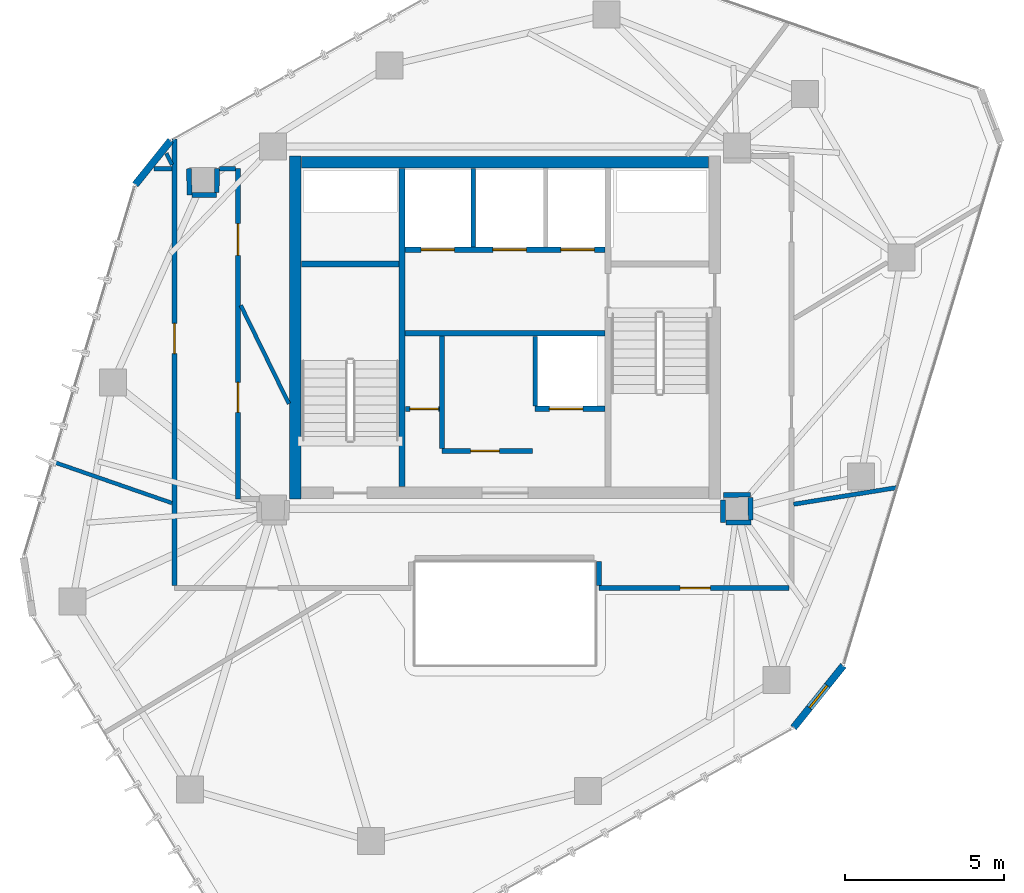
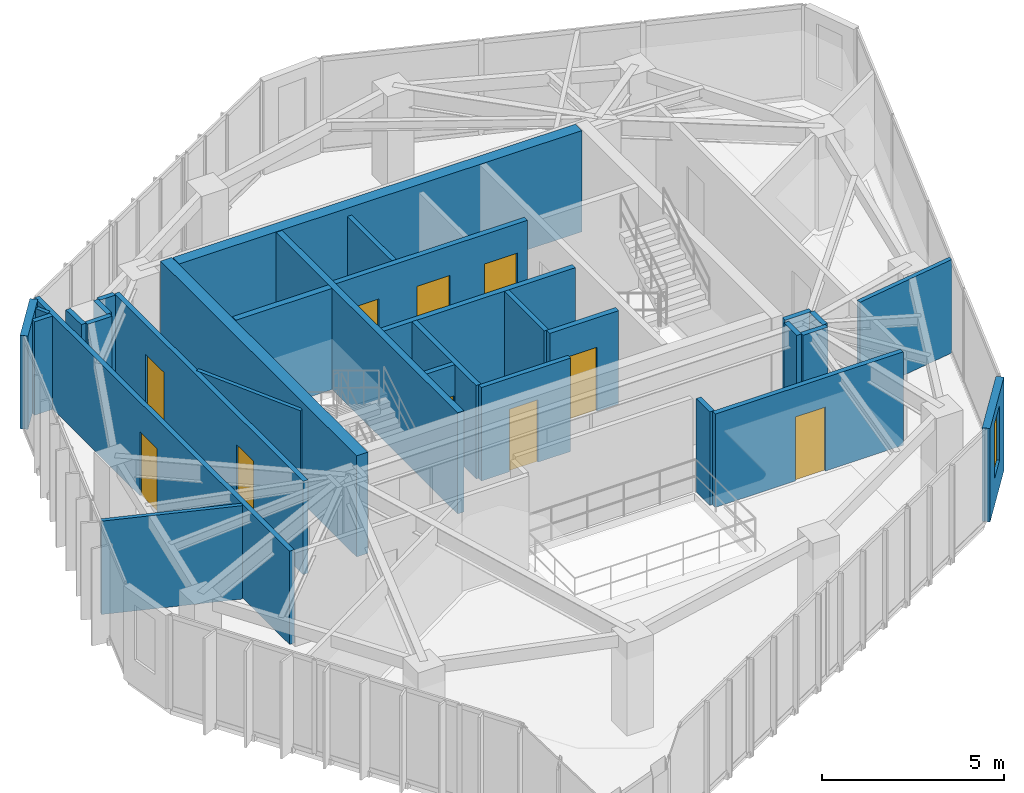
# One storey, part 17 of 20: 31 walls, 10 doors, 1 window, 11 openings.
"""IFC4 building model written with IfcOpenShell, lengths in metres."""

from ifc_helpers import new_model, si_unit, direction, frame, frame_2d, origin, place, context, subcontext, project, spatial, rectangle, extrude, source, transform, mapped, material, layer, layer_set, type_object, type_shapes, element, fill, save


model = new_model("IFC4")

# Units and contexts
model_context = context("Model", 3, precision=1e-05, world=origin(), true_north=direction((0.0, 1.0)))
body_context = subcontext(model_context, "Body", "Model", "MODEL_VIEW")
ifc_project = project(units=[si_unit("LENGTHUNIT", "METRE"), si_unit("AREAUNIT", "SQUARE_METRE"), si_unit("VOLUMEUNIT", "CUBIC_METRE"), si_unit("PLANEANGLEUNIT", "RADIAN"), si_unit("MASSUNIT", "GRAM", prefix="KILO")], contexts=[model_context])

# Site, building, storey
site_placement = place(None, origin())
site = spatial("IfcSite", under=ifc_project, at=site_placement, CompositionType="ELEMENT")
building_placement = place(site_placement, origin())
building = spatial("IfcBuilding", under=site, at=building_placement, Name="Talar Marvaseh", CompositionType="ELEMENT")
storey_placement = place(building_placement, frame((0.0, 0.0, 257.800048828125)))
storey = spatial("IfcBuildingStorey", under=building, at=storey_placement, Name="L68", CompositionType="ELEMENT", Elevation=257.800048828125)

# Wall
ifc_material_1 = material(Name="Precast concrete C45/55", Category="concrete")
ifc_layer_1 = layer(ifc_material_1, 0.22509765625)
ifc_layer_set_1 = layer_set([ifc_layer_1], Name="Precast concrete C45/55")
wall_type_1 = type_object("IfcWallType", Name="Chamfered Hexagonal Corner Pier Wall Z4 225", PredefinedType="SOLIDWALL", material=ifc_layer_set_1)
wall_1_placement = place(storey_placement, frame((14.363037109375, 35.697998046875, 0.0), z_axis=(0.0, 0.0, 1.0), x_axis=(0.625914912889, 0.779891352576, 0.0)))
element("IfcWall", 1, at=wall_1_placement, inside=storey, type_object=wall_type_1, Name="L68 Chamfered Corner Limestone Pier 3", PredefinedType="SOLIDWALL", context=body_context, shape_type="SweptSolid", body=[
    extrude(rectangle(XDim=1.780517578125, YDim=0.22509765625, at=frame_2d((0.89013671875, 0.0))), origin(), (0.0, 0.0, 1.0), 3.139892578125),
])

# Wall, opening, window
wall_2_placement = place(storey_placement, frame((36.646484375, 20.559814453125, 0.0), z_axis=(0.0, 0.0, 1.0), x_axis=(-0.625931583218, -0.77987797323, 0.0)))
wall_2 = element("IfcWall", 2, at=wall_2_placement, inside=storey, type_object=wall_type_1, Name="L68 Chamfered Corner Limestone Pier 6", PredefinedType="SOLIDWALL", context=body_context, shape_type="SweptSolid", body=[
    extrude(rectangle(XDim=2.50244140625, YDim=0.22509765625, at=frame_2d((1.251220703125, 0.0))), origin(), (0.0, 0.0, 1.0), 3.139892578125),
])
opening_1_placement = place(wall_2_placement, frame((0.801025390625, 0.0, 0.89990234375)))
opening_1 = element("IfcOpeningElement", 3, at=opening_1_placement, cuts=wall_2, Name="Opening WN-CHM09", PredefinedType="OPENING", context=body_context, shape_type="SweptSolid", body=[
    extrude(rectangle(XDim=0.89990234375, YDim=1.85009765625, at=frame_2d((0.449951171875, 0.925048828125))), frame((0.0, 0.12255859375, 0.0), z_axis=(0.0, -1.0, 0.0), x_axis=(1.0, 0.0, 0.0)), (0.0, 0.0, 1.0), 0.2451171875),
])
ifc_material_2 = material(Name="Laminated Low-E Solar Glass", Category="glass")
window_type = type_object("IfcWindowType", Name="Zone 4 Chamfered Corner Slot Window 900x1850", PartitioningType="SINGLE_PANEL", PredefinedType="WINDOW", material=ifc_material_2)
shared_shape_1 = source(origin(), body_context, "Body", "SweptSolid", [
    extrude(rectangle(XDim=0.89990234375, YDim=1.85009765625, at=frame_2d((0.449951171875, 0.925048828125))), frame((0.0, 0.030029296875, 0.0), z_axis=(0.0, -1.0, 0.0), x_axis=(1.0, 0.0, 0.0)), (0.0, 0.0, 1.0), 0.06005859375),
])
type_shapes(window_type, [shared_shape_1])
window_placement = place(opening_1_placement, origin())
window = element("IfcWindow", 4, at=window_placement, inside=storey, type_object=window_type, Name="L68 Chamfered Corner Slot Window", OverallHeight=1.85009765625, OverallWidth=0.89990234375, PartitioningType="SINGLE_PANEL", PredefinedType="WINDOW", context=body_context, shape_type="MappedRepresentation", body=[
    mapped(shared_shape_1, transform((0.0, 0.0, 0.0), x_axis=(1.0, 0.0, 0.0), y_axis=(0.0, 1.0, 0.0), z_axis=(0.0, 0.0, 1.0), scale=1.0)),
])
fill(opening_1, window)

# Wall
ifc_material_3 = material(Name="Gypsum Board Partition Assembly")
ifc_layer_2 = layer(ifc_material_3, 0.155029296875)
ifc_layer_set_2 = layer_set([ifc_layer_2], Name="Gypsum Board Partition Assembly")
wall_type_2 = type_object("IfcWallType", Name="Corridor Fire-Rated Acoustic Partition 155", PredefinedType="PARTITIONING", material=ifc_layer_set_2)
wall_3_placement = place(storey_placement, frame((24.02001953125, 27.39990234375, 0.0), z_axis=(0.0, 0.0, 1.0), x_axis=(0.0, 1.0, 0.0)))
element("IfcWall", 5, at=wall_3_placement, inside=storey, type_object=wall_type_2, Name="L68 Core BOH Partition", PredefinedType="PARTITIONING", context=body_context, shape_type="SweptSolid", body=[
    extrude(rectangle(XDim=3.5400390625, YDim=0.155029296875, at=frame_2d((1.77001953125, 0.0))), origin(), (0.0, 0.0, 1.0), 3.139892578125),
])

# Wall, opening, door
wall_4_placement = place(storey_placement, frame((24.02001953125, 27.320068359375, 0.0), z_axis=(0.0, 0.0, 1.0), x_axis=(1.0, 0.0, 0.0)))
wall_4 = element("IfcWall", 6, at=wall_4_placement, inside=storey, type_object=wall_type_2, Name="L68 Core BOH Partition", PredefinedType="PARTITIONING", context=body_context, shape_type="SweptSolid", body=[
    extrude(rectangle(XDim=2.840087890625, YDim=0.155029296875, at=frame_2d((1.419921875, 0.0))), origin(), (0.0, 0.0, 1.0), 3.139892578125),
])
opening_2_placement = place(wall_4_placement, frame((0.89990234375, 0.0, 0.0)))
opening_2 = element("IfcOpeningElement", 7, at=opening_2_placement, cuts=wall_4, Name="Opening DR-BOH090", PredefinedType="OPENING", context=body_context, shape_type="SweptSolid", body=[
    extrude(rectangle(XDim=0.89990234375, YDim=2.10009765625, at=frame_2d((0.449951171875, 1.050048828125))), frame((0.0, 0.08740234375, 0.0), z_axis=(0.0, -1.0, 0.0), x_axis=(1.0, 0.0, 0.0)), (0.0, 0.0, 1.0), 0.175048828125),
])
ifc_material_4 = material(Name="Fire-Rated Steel Door Leaf", Category="steel")
door_type_1 = type_object("IfcDoorType", Name="Core Back-of-House Service Door 900x2100", OperationType="NOTDEFINED", PredefinedType="DOOR", material=ifc_material_4)
shared_shape_2 = source(origin(), body_context, "Body", "SweptSolid", [
    extrude(rectangle(XDim=0.89990234375, YDim=2.10009765625, at=frame_2d((0.449951171875, 1.050048828125))), frame((0.0, 0.02490234375, 0.0), z_axis=(0.0, -1.0, 0.0), x_axis=(1.0, 0.0, 0.0)), (0.0, 0.0, 1.0), 0.050048828125),
])
type_shapes(door_type_1, [shared_shape_2])
door_1_placement = place(opening_2_placement, origin())
door_1 = element("IfcDoor", 8, at=door_1_placement, inside=storey, type_object=door_type_1, Name="L68 Store Sky Curatorial Vault Door", OperationType="SINGLE_SWING_LEFT", OverallHeight=2.10009765625, OverallWidth=0.89990234375, PredefinedType="DOOR", context=body_context, shape_type="MappedRepresentation", body=[
    mapped(shared_shape_2, transform((0.0, 0.0, 0.0), x_axis=(1.0, 0.0, 0.0), y_axis=(0.0, 1.0, 0.0), z_axis=(0.0, 0.0, 1.0), scale=1.0)),
])
fill(opening_2, door_1)

wall_5_placement = place(storey_placement, frame((22.865966796875, 28.639892578125, 0.0), z_axis=(0.0, 0.0, 1.0), x_axis=(1.0, 0.0, 0.0)))
wall_5 = element("IfcWall", 9, at=wall_5_placement, inside=storey, type_object=wall_type_2, Name="L68 Core BOH Partition", PredefinedType="PARTITIONING", context=body_context, shape_type="SweptSolid", body=[
    extrude(rectangle(XDim=1.070556640625, YDim=0.155029296875, at=frame_2d((0.53515625, 0.0))), origin(), (0.0, 0.0, 1.0), 3.139892578125),
])
opening_3_placement = place(wall_5_placement, frame((0.139892578125, 0.0, 0.0)))
opening_3 = element("IfcOpeningElement", 10, at=opening_3_placement, cuts=wall_5, Name="Opening DR-BOH090", PredefinedType="OPENING", context=body_context, shape_type="SweptSolid", body=[
    extrude(rectangle(XDim=0.89990234375, YDim=2.10009765625, at=frame_2d((0.449951171875, 1.050048828125))), frame((0.0, 0.08740234375, 0.0), z_axis=(0.0, -1.0, 0.0), x_axis=(1.0, 0.0, 0.0)), (0.0, 0.0, 1.0), 0.175048828125),
])
door_2_placement = place(opening_3_placement, origin())
door_2 = element("IfcDoor", 11, at=door_2_placement, inside=storey, type_object=door_type_1, Name="L68 Cleaner Core West Closet Door", OperationType="SINGLE_SWING_RIGHT", OverallHeight=2.10009765625, OverallWidth=0.89990234375, PredefinedType="DOOR", context=body_context, shape_type="MappedRepresentation", body=[
    mapped(shared_shape_2, transform((0.0, 0.0, 0.0), x_axis=(1.0, 0.0, 0.0), y_axis=(0.0, 1.0, 0.0), z_axis=(0.0, 0.0, 1.0), scale=1.0)),
])
fill(opening_3, door_2)

# Wall, openings, doors
wall_6_placement = place(storey_placement, frame((17.60009765625, 36.199951171875, 0.0), z_axis=(0.0, 0.0, 1.0), x_axis=(0.0, -1.0, 0.0)))
wall_6 = element("IfcWall", 12, at=wall_6_placement, inside=storey, type_object=wall_type_2, Name="L68 Interior Partition Wall", PredefinedType="PARTITIONING", context=body_context, shape_type="SweptSolid", body=[
    extrude(rectangle(XDim=10.39990234375, YDim=0.155029296875, at=frame_2d((5.199951171875, 0.0))), origin(), (0.0, 0.0, 1.0), 3.139892578125),
])
opening_4_placement = place(wall_6_placement, frame((1.72509765625, 0.0, 0.0)))
opening_4 = element("IfcOpeningElement", 13, at=opening_4_placement, cuts=wall_6, Name="Opening DR-RM100", PredefinedType="OPENING", context=body_context, shape_type="SweptSolid", body=[
    extrude(rectangle(XDim=1.0, YDim=2.14990234375, at=frame_2d((0.5, 1.074951171875))), frame((0.0, 0.08740234375, 0.0), z_axis=(0.0, -1.0, 0.0), x_axis=(1.0, 0.0, 0.0)), (0.0, 0.0, 1.0), 0.175048828125),
])
opening_5_placement = place(wall_6_placement, frame((6.720947265625, 0.0, 0.0)))
opening_5 = element("IfcOpeningElement", 14, at=opening_5_placement, cuts=wall_6, Name="Opening DR-WC095", PredefinedType="OPENING", context=body_context, shape_type="SweptSolid", body=[
    extrude(rectangle(XDim=0.949951171875, YDim=2.14990234375, at=frame_2d((0.47509765625, 1.074951171875))), frame((0.0, 0.08740234375, 0.0), z_axis=(0.0, -1.0, 0.0), x_axis=(1.0, 0.0, 0.0)), (0.0, 0.0, 1.0), 0.175048828125),
])
ifc_material_5 = material(Name="Acoustic Engineered Oak Timber", Category="wood")
door_type_2 = type_object("IfcDoorType", Name="Washroom and Service Room Door 950x2150", OperationType="NOTDEFINED", PredefinedType="DOOR", material=ifc_material_5)
shared_shape_3 = source(origin(), body_context, "Body", "SweptSolid", [
    extrude(rectangle(XDim=0.949951171875, YDim=2.14990234375, at=frame_2d((0.47509765625, 1.074951171875))), frame((0.0, 0.02490234375, 0.0), z_axis=(0.0, -1.0, 0.0), x_axis=(1.0, 0.0, 0.0)), (0.0, 0.0, 1.0), 0.050048828125),
])
type_shapes(door_type_2, [shared_shape_3])
door_3_placement = place(opening_5_placement, origin())
door_3 = element("IfcDoor", 15, at=door_3_placement, inside=storey, type_object=door_type_2, Name="L68 WC Public Washrooms Door", OperationType="SINGLE_SWING_LEFT", OverallHeight=2.14990234375, OverallWidth=0.949951171875, PredefinedType="DOOR", context=body_context, shape_type="MappedRepresentation", body=[
    mapped(shared_shape_3, transform((0.0, 0.0, 0.0), x_axis=(1.0, 0.0, 0.0), y_axis=(0.0, 1.0, 0.0), z_axis=(0.0, 0.0, 1.0), scale=1.0)),
])
fill(opening_5, door_3)
door_type_3 = type_object("IfcDoorType", Name="Corridor Fire-Rated Gallery Door 1000x2150", OperationType="NOTDEFINED", PredefinedType="DOOR", material=ifc_material_5)
shared_shape_4 = source(origin(), body_context, "Body", "SweptSolid", [
    extrude(rectangle(XDim=1.0, YDim=2.14990234375, at=frame_2d((0.5, 1.074951171875))), frame((0.0, 0.02490234375, 0.0), z_axis=(0.0, -1.0, 0.0), x_axis=(1.0, 0.0, 0.0)), (0.0, 0.0, 1.0), 0.050048828125),
])
type_shapes(door_type_3, [shared_shape_4])
door_4_placement = place(opening_4_placement, origin())
door_4 = element("IfcDoor", 16, at=door_4_placement, inside=storey, type_object=door_type_3, Name="L68 Archival Facsimile Boutique Door", OperationType="SINGLE_SWING_LEFT", OverallHeight=2.14990234375, OverallWidth=1.0, PredefinedType="DOOR", context=body_context, shape_type="MappedRepresentation", body=[
    mapped(shared_shape_4, transform((0.0, 0.0, 0.0), x_axis=(1.0, 0.0, 0.0), y_axis=(0.0, 1.0, 0.0), z_axis=(0.0, 0.0, 1.0), scale=1.0)),
])
fill(opening_4, door_4)

# Wall, opening, door
wall_7_placement = place(storey_placement, frame((34.9365234375, 23.0, 0.0), z_axis=(0.0, 0.0, 1.0), x_axis=(-1.0, 0.0, 0.0)))
wall_7 = element("IfcWall", 17, at=wall_7_placement, inside=storey, type_object=wall_type_2, Name="L68 Interior Partition Wall", PredefinedType="PARTITIONING", context=body_context, shape_type="SweptSolid", body=[
    extrude(rectangle(XDim=5.9765625, YDim=0.155029296875, at=frame_2d((2.98828125, 0.0))), origin(), (0.0, 0.0, 1.0), 3.139892578125),
])
opening_6_placement = place(wall_7_placement, frame((2.471435546875, 0.0, 0.0)))
opening_6 = element("IfcOpeningElement", 18, at=opening_6_placement, cuts=wall_7, Name="Opening DR-WC095", PredefinedType="OPENING", context=body_context, shape_type="SweptSolid", body=[
    extrude(rectangle(XDim=0.949951171875, YDim=2.14990234375, at=frame_2d((0.47509765625, 1.074951171875))), frame((0.0, 0.08740234375, 0.0), z_axis=(0.0, -1.0, 0.0), x_axis=(1.0, 0.0, 0.0)), (0.0, 0.0, 1.0), 0.175048828125),
])
door_5_placement = place(opening_6_placement, origin())
door_5 = element("IfcDoor", 19, at=door_5_placement, inside=storey, type_object=door_type_2, Name="L68 Rare Books Archive Room Door", OperationType="SINGLE_SWING_RIGHT", OverallHeight=2.14990234375, OverallWidth=0.949951171875, PredefinedType="DOOR", context=body_context, shape_type="MappedRepresentation", body=[
    mapped(shared_shape_3, transform((0.0, 0.0, 0.0), x_axis=(1.0, 0.0, 0.0), y_axis=(0.0, 1.0, 0.0), z_axis=(0.0, 0.0, 1.0), scale=1.0)),
])
fill(opening_6, door_5)

wall_8_placement = place(storey_placement, frame((15.60009765625, 23.08349609375, 0.0), z_axis=(0.0, 0.0, 1.0), x_axis=(0.0, 1.0, 0.0)))
wall_8 = element("IfcWall", 20, at=wall_8_placement, inside=storey, type_object=wall_type_2, Name="L68 Interior Partition Wall", PredefinedType="PARTITIONING", context=body_context, shape_type="SweptSolid", body=[
    extrude(rectangle(XDim=14.051513671875, YDim=0.155029296875, at=frame_2d((7.02587890625, 0.0))), origin(), (0.0, 0.0, 1.0), 3.139892578125),
])
opening_7_placement = place(wall_8_placement, frame((7.2978515625, 0.0, 0.0)))
opening_7 = element("IfcOpeningElement", 21, at=opening_7_placement, cuts=wall_8, Name="Opening DR-WC095", PredefinedType="OPENING", context=body_context, shape_type="SweptSolid", body=[
    extrude(rectangle(XDim=0.949951171875, YDim=2.14990234375, at=frame_2d((0.47509765625, 1.074951171875))), frame((0.0, 0.08740234375, 0.0), z_axis=(0.0, -1.0, 0.0), x_axis=(1.0, 0.0, 0.0)), (0.0, 0.0, 1.0), 0.175048828125),
])
door_6_placement = place(opening_7_placement, origin())
door_6 = element("IfcDoor", 22, at=door_6_placement, inside=storey, type_object=door_type_2, Name="L68 Accessible WC Door", OperationType="SINGLE_SWING_RIGHT", OverallHeight=2.14990234375, OverallWidth=0.949951171875, PredefinedType="DOOR", context=body_context, shape_type="MappedRepresentation", body=[
    mapped(shared_shape_3, transform((0.0, 0.0, 0.0), x_axis=(1.0, 0.0, 0.0), y_axis=(0.0, 1.0, 0.0), z_axis=(0.0, 0.0, 1.0), scale=1.0)),
])
fill(opening_7, door_6)

# Walls
wall_9_placement = place(storey_placement, frame((16.053955078125, 36.199951171875, 0.0), z_axis=(0.0, 0.0, 1.0), x_axis=(0.018168161375, -0.999834945335, 0.0)))
element("IfcWall", 23, at=wall_9_placement, inside=storey, type_object=wall_type_2, Name="L68 Interior Partition Wall", PredefinedType="PARTITIONING", context=body_context, shape_type="SweptSolid", body=[
    extrude(rectangle(XDim=0.833251953125, YDim=0.155029296875, at=frame_2d((0.41650390625, 0.0))), origin(), (0.0, 0.0, 1.0), 3.139892578125),
])
wall_10_placement = place(storey_placement, frame((16.152587890625, 35.3671875, 0.0), z_axis=(0.0, 0.0, 1.0), x_axis=(0.999997558852, 0.002209590566, 0.0)))
element("IfcWall", 24, at=wall_10_placement, inside=storey, type_object=wall_type_2, Name="L68 Interior Partition Wall", PredefinedType="PARTITIONING", context=body_context, shape_type="SweptSolid", body=[
    extrude(rectangle(XDim=0.7734375, YDim=0.155029296875, at=frame_2d((0.38671875, 0.0))), origin(), (0.0, 0.0, 1.0), 3.139892578125),
])
wall_11_placement = place(storey_placement, frame((16.927001953125, 35.452392578125, 0.0), z_axis=(0.0, 0.0, 1.0), x_axis=(0.009470509294, 0.999955153721, 0.0)))
element("IfcWall", 25, at=wall_11_placement, inside=storey, type_object=wall_type_2, Name="L68 Interior Partition Wall", PredefinedType="PARTITIONING", context=body_context, shape_type="SweptSolid", body=[
    extrude(rectangle(XDim=0.74755859375, YDim=0.155029296875, at=frame_2d((0.373779296875, 0.0))), origin(), (0.0, 0.0, 1.0), 3.139892578125),
])
wall_12_placement = place(storey_placement, frame((17.017578125, 36.199951171875, 0.0), z_axis=(0.0, 0.0, 1.0), x_axis=(1.0, 0.0, 0.0)))
element("IfcWall", 26, at=wall_12_placement, inside=storey, type_object=wall_type_2, Name="L68 Interior Partition Wall", PredefinedType="PARTITIONING", context=body_context, shape_type="SweptSolid", body=[
    extrude(rectangle(XDim=0.4990234375, YDim=0.155029296875, at=frame_2d((0.24951171875, 0.0))), origin(), (0.0, 0.0, 1.0), 3.139892578125),
])
wall_13_placement = place(storey_placement, frame((28.959716796875, 23.08349609375, 0.0), z_axis=(0.0, 0.0, 1.0), x_axis=(-0.003917697652, 0.999992325793, 0.0)))
element("IfcWall", 27, at=wall_13_placement, inside=storey, type_object=wall_type_2, Name="L68 Interior Partition Wall", PredefinedType="PARTITIONING", context=body_context, shape_type="SweptSolid", body=[
    extrude(rectangle(XDim=0.747802734375, YDim=0.155029296875, at=frame_2d((0.3740234375, 0.0))), origin(), (0.0, 0.0, 1.0), 3.139892578125),
])
wall_14_placement = place(storey_placement, frame((14.9453125, 36.199951171875, 0.0), z_axis=(0.0, 0.0, 1.0), x_axis=(1.0, 0.0, 0.0)))
element("IfcWall", 28, at=wall_14_placement, inside=storey, type_object=wall_type_2, Name="L68 Interior Partition Wall", PredefinedType="PARTITIONING", context=body_context, shape_type="SweptSolid", body=[
    extrude(rectangle(XDim=0.5712890625, YDim=0.155029296875, at=frame_2d((0.28564453125, 0.0))), origin(), (0.0, 0.0, 1.0), 3.139892578125),
])
wall_15_placement = place(storey_placement, frame((33.72509765625, 25.93994140625, 0.0), z_axis=(0.0, 0.0, 1.0), x_axis=(-0.999986790873, -0.005139852152, 0.0)))
element("IfcWall", 29, at=wall_15_placement, inside=storey, type_object=wall_type_2, Name="L68 Interior Partition Wall", PredefinedType="PARTITIONING", context=body_context, shape_type="SweptSolid", body=[
    extrude(rectangle(XDim=0.85498046875, YDim=0.155029296875, at=frame_2d((0.427490234375, 0.0))), origin(), (0.0, 0.0, 1.0), 3.139892578125),
])
wall_16_placement = place(storey_placement, frame((32.864501953125, 25.772705078125, 0.0), z_axis=(0.0, 0.0, 1.0), x_axis=(0.0, -1.0, 0.0)))
element("IfcWall", 30, at=wall_16_placement, inside=storey, type_object=wall_type_2, Name="L68 Interior Partition Wall", PredefinedType="PARTITIONING", context=body_context, shape_type="SweptSolid", body=[
    extrude(rectangle(XDim=0.708251953125, YDim=0.155029296875, at=frame_2d((0.35400390625, 0.0))), origin(), (0.0, 0.0, 1.0), 3.139892578125),
])
wall_17_placement = place(storey_placement, frame((32.947998046875, 25.064453125, 0.0), z_axis=(0.0, 0.0, 1.0), x_axis=(1.0, 0.0, 0.0)))
element("IfcWall", 31, at=wall_17_placement, inside=storey, type_object=wall_type_2, Name="L68 Interior Partition Wall", PredefinedType="PARTITIONING", context=body_context, shape_type="SweptSolid", body=[
    extrude(rectangle(XDim=0.78759765625, YDim=0.155029296875, at=frame_2d((0.393798828125, 0.0))), origin(), (0.0, 0.0, 1.0), 3.139892578125),
])
wall_18_placement = place(storey_placement, frame((33.734619140625, 25.14794921875, 0.0), z_axis=(0.0, 0.0, 1.0), x_axis=(-0.012059770759, 0.99992727832, 0.0)))
element("IfcWall", 32, at=wall_18_placement, inside=storey, type_object=wall_type_2, Name="L68 Interior Partition Wall", PredefinedType="PARTITIONING", context=body_context, shape_type="SweptSolid", body=[
    extrude(rectangle(XDim=0.70849609375, YDim=0.155029296875, at=frame_2d((0.354248046875, 0.0))), origin(), (0.0, 0.0, 1.0), 3.139892578125),
])
ifc_layer_3 = layer(ifc_material_3, 0.1201171875)
ifc_layer_set_3 = layer_set([ifc_layer_3], Name="Gypsum Board Partition Assembly")
wall_type_3 = type_object("IfcWallType", Name="Demountable Studio Room Partition 120", PredefinedType="PARTITIONING", material=ifc_layer_set_3)
wall_19_placement = place(storey_placement, frame((11.771484375, 26.978515625, 0.0), z_axis=(0.0, 0.0, 1.0), x_axis=(0.944738317626, -0.327825427948, 0.0)))
element("IfcWall", 33, at=wall_19_placement, inside=storey, type_object=wall_type_3, Name="L68 Interior Partition Wall", PredefinedType="PARTITIONING", context=body_context, shape_type="SweptSolid", body=[
    extrude(rectangle(XDim=3.964111328125, YDim=0.1201171875, at=frame_2d((1.98193359375, 0.0))), origin(), (0.0, 0.0, 1.0), 3.139892578125),
])
wall_20_placement = place(storey_placement, frame((15.5166015625, 36.32421875, 0.0), z_axis=(0.0, 0.0, 1.0), x_axis=(-0.432140689655, 0.901806201101, 0.0)))
element("IfcWall", 34, at=wall_20_placement, inside=storey, type_object=wall_type_3, Name="L68 Interior Partition Wall", PredefinedType="PARTITIONING", context=body_context, shape_type="SweptSolid", body=[
    extrude(rectangle(XDim=0.4033203125, YDim=0.1201171875, at=frame_2d((0.20166015625, 0.0))), origin(), (0.0, 0.0, 1.0), 3.139892578125),
])
wall_21_placement = place(storey_placement, frame((19.199951171875, 28.800048828125, 0.0), z_axis=(0.0, 0.0, 1.0), x_axis=(-0.439470269492, 0.898257135921, 0.0)))
element("IfcWall", 35, at=wall_21_placement, inside=storey, type_object=wall_type_3, Name="L68 Interior Partition Wall", PredefinedType="PARTITIONING", context=body_context, shape_type="SweptSolid", body=[
    extrude(rectangle(XDim=3.450439453125, YDim=0.1201171875, at=frame_2d((1.72509765625, 0.0))), origin(), (0.0, 0.0, 1.0), 3.139892578125),
])
ifc_layer_4 = layer(ifc_material_1, 0.14501953125)
ifc_layer_set_4 = layer_set([ifc_layer_4], Name="Precast concrete C45/55")
wall_type_4 = type_object("IfcWallType", Name="Fire-Rated Lift Divider Wall 145", PredefinedType="SOLIDWALL", material=ifc_layer_set_4)
wall_22_placement = place(storey_placement, frame((25.0, 33.743408203125, 0.0), z_axis=(0.0, 0.0, 1.0), x_axis=(0.0, 1.0, 0.0)))
element("IfcWall", 36, at=wall_22_placement, inside=storey, type_object=wall_type_4, Name="L68 FFL-1/FFL-2 Divider", PredefinedType="SOLIDWALL", context=body_context, shape_type="SweptSolid", body=[
    extrude(rectangle(XDim=2.45654296875, YDim=0.14501953125, at=frame_2d((1.228271484375, 0.0))), origin(), (0.0, 0.0, 1.0), 3.139892578125),
])
wall_23_placement = place(storey_placement, frame((26.949951171875, 28.7333984375, 0.0), z_axis=(0.0, 0.0, 1.0), x_axis=(0.0, 1.0, 0.0)))
element("IfcWall", 37, at=wall_23_placement, inside=storey, type_object=wall_type_4, Name="L68 PL-H3 West Shaft Wall", PredefinedType="SOLIDWALL", context=body_context, shape_type="SweptSolid", body=[
    extrude(rectangle(XDim=2.193115234375, YDim=0.14501953125, at=frame_2d((1.0966796875, 0.0))), origin(), (0.0, 0.0, 1.0), 3.139892578125),
])

# Wall, openings, doors
ifc_layer_5 = layer(ifc_material_1, 0.175048828125)
ifc_layer_set_5 = layer_set([ifc_layer_5], Name="Precast concrete C45/55")
wall_type_5 = type_object("IfcWallType", Name="Fire-Rated Lift Hoistway Enclosure Wall 175", PredefinedType="SOLIDWALL", material=ifc_layer_set_5)
wall_24_placement = place(storey_placement, frame((22.860107421875, 33.64990234375, 0.0), z_axis=(0.0, 0.0, 1.0), x_axis=(1.0, 0.0, 0.0)))
wall_24 = element("IfcWall", 38, at=wall_24_placement, inside=storey, type_object=wall_type_5, Name="L68 Firefighting and Service Lift Front Wall", PredefinedType="SOLIDWALL", context=body_context, shape_type="SweptSolid", body=[
    extrude(rectangle(XDim=6.27978515625, YDim=0.175048828125, at=frame_2d((3.139892578125, 0.0))), origin(), (0.0, 0.0, 1.0), 3.139892578125),
])
opening_8_placement = place(wall_24_placement, frame((0.5, 0.0, 0.0)))
opening_8 = element("IfcOpeningElement", 39, at=opening_8_placement, cuts=wall_24, Name="Opening LD-FF1", PredefinedType="OPENING", context=body_context, shape_type="SweptSolid", body=[
    extrude(rectangle(XDim=1.050048828125, YDim=2.14990234375, at=frame_2d((0.52490234375, 1.074951171875))), frame((0.0, 0.09765625, 0.0), z_axis=(0.0, -1.0, 0.0), x_axis=(1.0, 0.0, 0.0)), (0.0, 0.0, 1.0), 0.195068359375),
])
opening_9_placement = place(wall_24_placement, frame((2.760009765625, 0.0, 0.0)))
opening_9 = element("IfcOpeningElement", 40, at=opening_9_placement, cuts=wall_24, Name="Opening LD-FF2", PredefinedType="OPENING", context=body_context, shape_type="SweptSolid", body=[
    extrude(rectangle(XDim=1.050048828125, YDim=2.14990234375, at=frame_2d((0.52490234375, 1.074951171875))), frame((0.0, 0.09765625, 0.0), z_axis=(0.0, -1.0, 0.0), x_axis=(1.0, 0.0, 0.0)), (0.0, 0.0, 1.0), 0.195068359375),
])
opening_10_placement = place(wall_24_placement, frame((4.89990234375, 0.0, 0.0)))
opening_10 = element("IfcOpeningElement", 41, at=opening_10_placement, cuts=wall_24, Name="Opening LD-SV1", PredefinedType="OPENING", context=body_context, shape_type="SweptSolid", body=[
    extrude(rectangle(XDim=1.050048828125, YDim=2.14990234375, at=frame_2d((0.52490234375, 1.074951171875))), frame((0.0, 0.09765625, 0.0), z_axis=(0.0, -1.0, 0.0), x_axis=(1.0, 0.0, 0.0)), (0.0, 0.0, 1.0), 0.195068359375),
])
ifc_material_6 = material(Name="Stainless Steel Grade 316", Category="steel")
door_type_4 = type_object("IfcDoorType", Name="Automatic Sliding Lift Landing Door 1050x2150", OperationType="NOTDEFINED", PredefinedType="DOOR", material=ifc_material_6)
shared_shape_5 = source(origin(), body_context, "Body", "SweptSolid", [
    extrude(rectangle(XDim=1.050048828125, YDim=2.14990234375, at=frame_2d((0.52490234375, 1.074951171875))), frame((0.0, 0.02490234375, 0.0), z_axis=(0.0, -1.0, 0.0), x_axis=(1.0, 0.0, 0.0)), (0.0, 0.0, 1.0), 0.050048828125),
])
type_shapes(door_type_4, [shared_shape_5])
door_7_placement = place(opening_8_placement, origin())
door_7 = element("IfcDoor", 42, at=door_7_placement, inside=storey, type_object=door_type_4, Name="L68 Lift FFL-1 Sliding Landing Door", OperationType="SLIDING_TO_LEFT", OverallHeight=2.14990234375, OverallWidth=1.050048828125, PredefinedType="DOOR", context=body_context, shape_type="MappedRepresentation", body=[
    mapped(shared_shape_5, transform((0.0, 0.0, 0.0), x_axis=(1.0, 0.0, 0.0), y_axis=(0.0, 1.0, 0.0), z_axis=(0.0, 0.0, 1.0), scale=1.0)),
])
fill(opening_8, door_7)
door_8_placement = place(opening_9_placement, origin())
door_8 = element("IfcDoor", 43, at=door_8_placement, inside=storey, type_object=door_type_4, Name="L68 Lift FFL-2 Sliding Landing Door", OperationType="SLIDING_TO_LEFT", OverallHeight=2.14990234375, OverallWidth=1.050048828125, PredefinedType="DOOR", context=body_context, shape_type="MappedRepresentation", body=[
    mapped(shared_shape_5, transform((0.0, 0.0, 0.0), x_axis=(1.0, 0.0, 0.0), y_axis=(0.0, 1.0, 0.0), z_axis=(0.0, 0.0, 1.0), scale=1.0)),
])
fill(opening_9, door_8)
door_9_placement = place(opening_10_placement, origin())
door_9 = element("IfcDoor", 44, at=door_9_placement, inside=storey, type_object=door_type_4, Name="L68 Lift SVL-1 Sliding Landing Door", OperationType="SLIDING_TO_LEFT", OverallHeight=2.14990234375, OverallWidth=1.050048828125, PredefinedType="DOOR", context=body_context, shape_type="MappedRepresentation", body=[
    mapped(shared_shape_5, transform((0.0, 0.0, 0.0), x_axis=(1.0, 0.0, 0.0), y_axis=(0.0, 1.0, 0.0), z_axis=(0.0, 0.0, 1.0), scale=1.0)),
])
fill(opening_10, door_9)

# Wall
wall_25_placement = place(storey_placement, frame((22.860107421875, 31.02001953125, 0.0), z_axis=(0.0, 0.0, 1.0), x_axis=(1.0, 0.0, 0.0)))
element("IfcWall", 45, at=wall_25_placement, inside=storey, type_object=wall_type_5, Name="L68 Firefighting Lobby South Smoke Wall", PredefinedType="SOLIDWALL", context=body_context, shape_type="SweptSolid", body=[
    extrude(rectangle(XDim=6.27978515625, YDim=0.175048828125, at=frame_2d((3.139892578125, 0.0))), origin(), (0.0, 0.0, 1.0), 3.139892578125),
])

# Wall, opening, door
wall_26_placement = place(storey_placement, frame((26.949951171875, 28.639892578125, 0.0), z_axis=(0.0, 0.0, 1.0), x_axis=(1.0, 0.0, 0.0)))
wall_26 = element("IfcWall", 46, at=wall_26_placement, inside=storey, type_object=wall_type_5, Name="L68 Sky Express Lift Front Wall", PredefinedType="SOLIDWALL", context=body_context, shape_type="SweptSolid", body=[
    extrude(rectangle(XDim=2.18994140625, YDim=0.175048828125, at=frame_2d((1.094970703125, 0.0))), origin(), (0.0, 0.0, 1.0), 3.139892578125),
])
opening_11_placement = place(wall_26_placement, frame((0.449951171875, 0.0, 0.0)))
opening_11 = element("IfcOpeningElement", 47, at=opening_11_placement, cuts=wall_26, Name="Opening LD-PLH3", PredefinedType="OPENING", context=body_context, shape_type="SweptSolid", body=[
    extrude(rectangle(XDim=1.050048828125, YDim=2.14990234375, at=frame_2d((0.52490234375, 1.074951171875))), frame((0.0, 0.09765625, 0.0), z_axis=(0.0, -1.0, 0.0), x_axis=(1.0, 0.0, 0.0)), (0.0, 0.0, 1.0), 0.195068359375),
])
door_10_placement = place(opening_11_placement, origin())
door_10 = element("IfcDoor", 48, at=door_10_placement, inside=storey, type_object=door_type_4, Name="L68 Lift PL-H3 Sliding Landing Door", OperationType="SLIDING_TO_LEFT", OverallHeight=2.14990234375, OverallWidth=1.050048828125, PredefinedType="DOOR", context=body_context, shape_type="MappedRepresentation", body=[
    mapped(shared_shape_5, transform((0.0, 0.0, 0.0), x_axis=(1.0, 0.0, 0.0), y_axis=(0.0, 1.0, 0.0), z_axis=(0.0, 0.0, 1.0), scale=1.0)),
])
fill(opening_11, door_10)

# Walls
ifc_layer_6 = layer(ifc_material_3, 0.135009765625)
ifc_layer_set_6 = layer_set([ifc_layer_6], Name="Gypsum Board Partition Assembly")
wall_type_6 = type_object("IfcWallType", Name="Gallery High-Acoustic Partition 135", PredefinedType="PARTITIONING", material=ifc_layer_set_6)
wall_27_placement = place(storey_placement, frame((35.084228515625, 25.640380859375, 0.0), z_axis=(0.0, 0.0, 1.0), x_axis=(0.987241499086, 0.159230092892, 0.0)))
element("IfcWall", 49, at=wall_27_placement, inside=storey, type_object=wall_type_6, Name="L68 Interior Partition Wall", PredefinedType="PARTITIONING", context=body_context, shape_type="SweptSolid", body=[
    extrude(rectangle(XDim=3.27197265625, YDim=0.135009765625, at=frame_2d((1.635986328125, 0.0))), origin(), (0.0, 0.0, 1.0), 3.139892578125),
])
ifc_material_7 = material(Name="Concrete C50/60", Category="concrete")
ifc_layer_7 = layer(ifc_material_7, 0.199951171875)
ifc_layer_set_7 = layer_set([ifc_layer_7], Name="Concrete C50/60")
wall_type_7 = type_object("IfcWallType", Name="Stair Shaft Structural Concrete Shear Wall 200", PredefinedType="SHEAR", material=ifc_layer_set_7)
wall_28_placement = place(storey_placement, frame((22.760009765625, 26.199951171875, 0.0), z_axis=(0.0, 0.0, 1.0), x_axis=(0.0, 1.0, 0.0)))
element("IfcWall", 50, at=wall_28_placement, inside=storey, type_object=wall_type_7, Name="L68 Core West Stair Shear Wall", PredefinedType="SHEAR", context=body_context, shape_type="SweptSolid", body=[
    extrude(rectangle(XDim=10.0, YDim=0.199951171875, at=frame_2d((5.0, 0.0))), origin(), (0.0, 0.0, 1.0), 3.39990234375),
])
wall_29_placement = place(storey_placement, frame((19.60009765625, 33.199951171875, 0.0), z_axis=(0.0, 0.0, 1.0), x_axis=(1.0, 0.0, 0.0)))
element("IfcWall", 51, at=wall_29_placement, inside=storey, type_object=wall_type_7, Name="L68 Stair ST-1 North Shear Wall", PredefinedType="SHEAR", context=body_context, shape_type="SweptSolid", body=[
    extrude(rectangle(XDim=3.059814453125, YDim=0.199951171875, at=frame_2d((1.52978515625, 0.0))), origin(), (0.0, 0.0, 1.0), 3.39990234375),
])
ifc_layer_8 = layer(ifc_material_7, 0.360107421875)
ifc_layer_set_8 = layer_set([ifc_layer_8], Name="Concrete C50/60")
wall_type_8 = type_object("IfcWallType", Name="Upper Core Reinforced Concrete Shear Wall 360", PredefinedType="SHEAR", material=ifc_layer_set_8)
wall_30_placement = place(storey_placement, frame((19.39990234375, 25.800048828125, 0.0), z_axis=(0.0, 0.0, 1.0), x_axis=(0.0, 1.0, 0.0)))
element("IfcWall", 52, at=wall_30_placement, inside=storey, type_object=wall_type_8, Name="L68 West Core Shear Wall", PredefinedType="SHEAR", context=body_context, shape_type="SweptSolid", body=[
    extrude(rectangle(XDim=10.800048828125, YDim=0.360107421875, at=frame_2d((5.39990234375, 0.0))), origin(), (0.0, 0.0, 1.0), 3.39990234375),
])
wall_31_placement = place(storey_placement, frame((19.60009765625, 36.39990234375, 0.0), z_axis=(0.0, 0.0, 1.0), x_axis=(1.0, 0.0, 0.0)))
element("IfcWall", 53, at=wall_31_placement, inside=storey, type_object=wall_type_8, Name="L68 North Core Shear Wall", PredefinedType="SHEAR", context=body_context, shape_type="SweptSolid", body=[
    extrude(rectangle(XDim=12.7998046875, YDim=0.360107421875, at=frame_2d((6.39990234375, 0.0))), origin(), (0.0, 0.0, 1.0), 3.39990234375),
])

save(model, "model.ifc")
